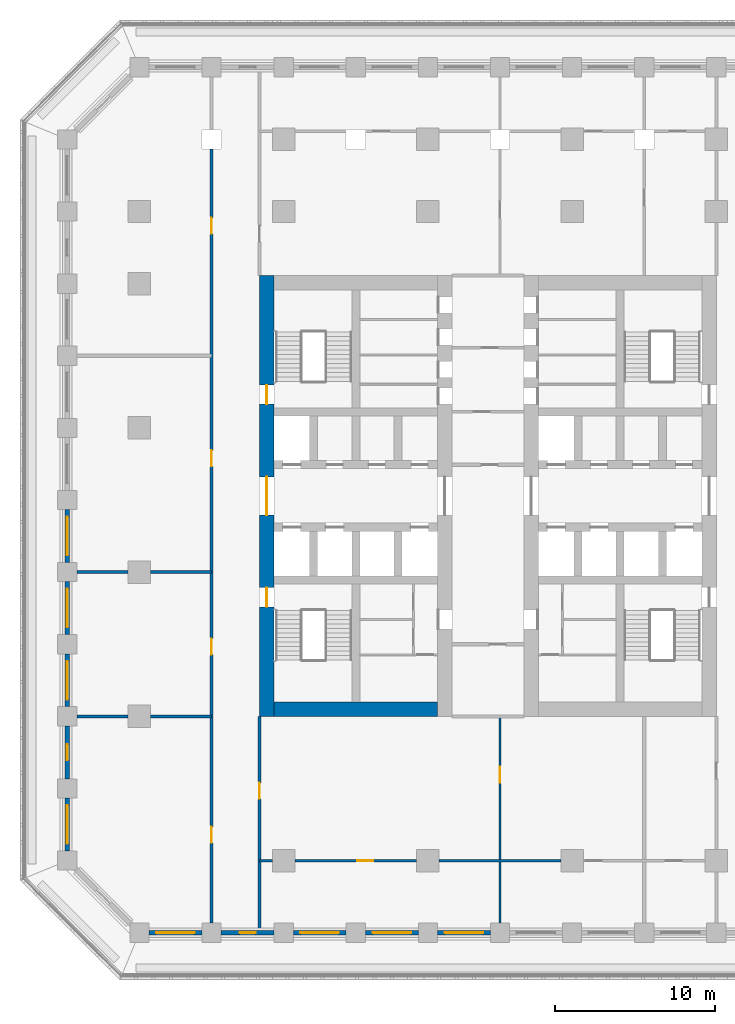
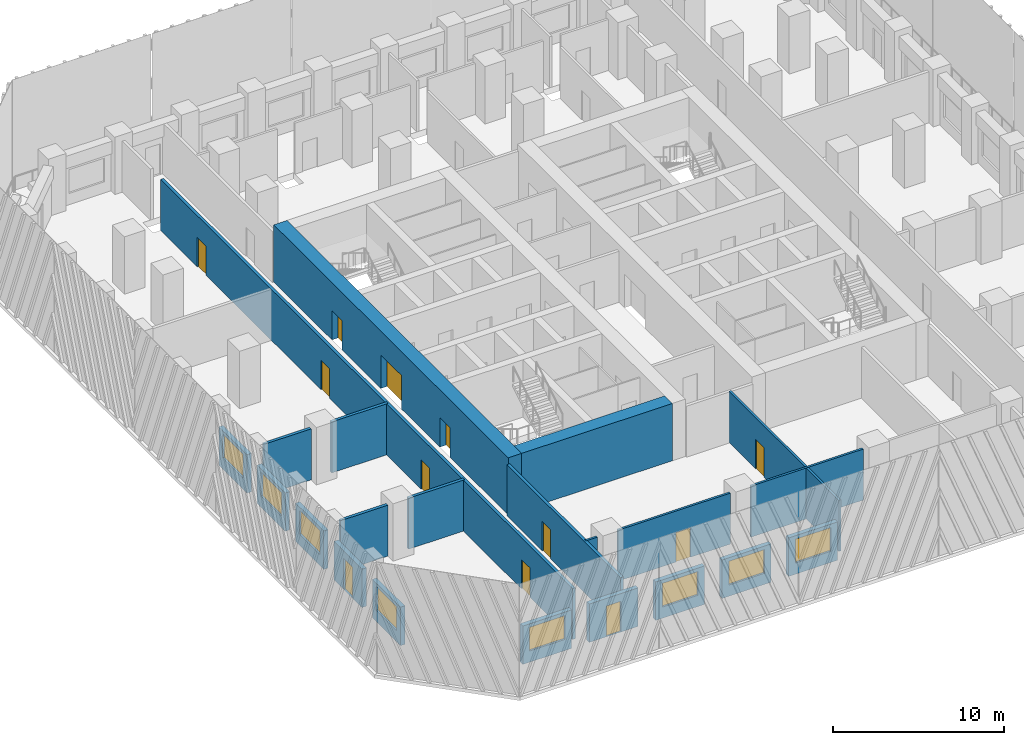
# One storey, part 3 of 19: 22 walls, 12 doors, 8 windows, 20 openings.
"""IFC4 building model written with IfcOpenShell, lengths in metres."""

from ifc_helpers import new_model, si_unit, direction, frame, frame_2d, origin, place, context, subcontext, project, spatial, rectangle, extrude, material, layer, layer_set, type_object, element, fill, save


model = new_model("IFC4")

# Units and contexts
model_context = context("Model", 3, precision=1e-05, world=origin(), true_north=direction((0.0, 1.0)))
body_context = subcontext(model_context, "Body", "Model", "MODEL_VIEW")
ifc_project = project(units=[si_unit("LENGTHUNIT", "METRE"), si_unit("AREAUNIT", "SQUARE_METRE"), si_unit("VOLUMEUNIT", "CUBIC_METRE"), si_unit("PLANEANGLEUNIT", "RADIAN"), si_unit("MASSUNIT", "GRAM", prefix="KILO")], contexts=[model_context])

# Site, building, storey
site_placement = place(None, origin())
site = spatial("IfcSite", under=ifc_project, at=site_placement, CompositionType="ELEMENT")
building_placement = place(site_placement, origin())
building = spatial("IfcBuilding", under=site, at=building_placement, Name="Corbel Stack Research Tower", CompositionType="ELEMENT")
storey_placement = place(building_placement, frame((0.0, 0.0, 82.0)))
storey = spatial("IfcBuildingStorey", under=building, at=storey_placement, Name="L18", CompositionType="ELEMENT", Elevation=82.0)

# Wall, openings, doors
ifc_material_1 = material(Name="Concrete C70/85", Category="concrete")
ifc_layer_1 = layer(ifc_material_1, 0.89990234375)
ifc_layer_set_1 = layer_set([ifc_layer_1], Name="Concrete C70/85")
wall_type_1 = type_object("IfcWallType", Name="CW-900-70", PredefinedType="SHEAR", material=ifc_layer_set_1)
wall_1_placement = place(storey_placement, frame((-10.050048828125, -9.0, 0.0), z_axis=(0.0, 0.0, 1.0), x_axis=(0.0, 1.0, 0.0)))
wall_1 = element("IfcWall", 1, at=wall_1_placement, inside=storey, type_object=wall_type_1, Name="West core wall, west face L18", PredefinedType="SHEAR", context=body_context, shape_type="SweptSolid", body=[
    extrude(rectangle(XDim=27.5, YDim=0.89990234375, at=frame_2d((13.75, 0.0))), origin(), (0.0, 0.0, 1.0), 4.10009765625),
])
opening_1_placement = place(wall_1_placement, frame((12.550048828125, 0.0, 0.0)))
opening_1 = element("IfcOpeningElement", 2, at=opening_1_placement, cuts=wall_1, Name="Opening CD-W-W", PredefinedType="OPENING", context=body_context, shape_type="SweptSolid", body=[
    extrude(rectangle(XDim=2.39990234375, YDim=2.39990234375, at=frame_2d((1.199951171875, 1.199951171875))), frame((0.0, 0.4599609375, 0.0), z_axis=(0.0, -1.0, 0.0), x_axis=(1.0, 0.0, 0.0)), (0.0, 0.0, 1.0), 0.919921875),
])
opening_2_placement = place(wall_1_placement, frame((6.824951171875, 0.0, 0.0)))
opening_2 = element("IfcOpeningElement", 3, at=opening_2_placement, cuts=wall_1, Name="Opening SD-ST-W1", PredefinedType="OPENING", context=body_context, shape_type="SweptSolid", body=[
    extrude(rectangle(XDim=1.199951171875, YDim=2.10009765625, at=frame_2d((0.60009765625, 1.050048828125))), frame((0.0, 0.4599609375, 0.0), z_axis=(0.0, -1.0, 0.0), x_axis=(1.0, 0.0, 0.0)), (0.0, 0.0, 1.0), 0.919921875),
])
opening_3_placement = place(wall_1_placement, frame((19.47509765625, 0.0, 0.0)))
opening_3 = element("IfcOpeningElement", 4, at=opening_3_placement, cuts=wall_1, Name="Opening SD-ST-W2", PredefinedType="OPENING", context=body_context, shape_type="SweptSolid", body=[
    extrude(rectangle(XDim=1.199951171875, YDim=2.10009765625, at=frame_2d((0.60009765625, 1.050048828125))), frame((0.0, 0.4599609375, 0.0), z_axis=(0.0, -1.0, 0.0), x_axis=(1.0, 0.0, 0.0)), (0.0, 0.0, 1.0), 0.919921875),
])
ifc_material_2 = material(Name="Painted steel fire door", Category="steel")
door_type_1 = type_object("IfcDoorType", Name="Lobby door pair 2400 x 2400 FD30S", OperationType="DOUBLE_DOOR_DOUBLE_SWING", PredefinedType="DOOR", material=ifc_material_2)
door_1_placement = place(opening_1_placement, origin())
door_1 = element("IfcDoor", 5, at=door_1_placement, inside=storey, type_object=door_type_1, Name="Lift lobby door W core W", OperationType="DOUBLE_DOOR_DOUBLE_SWING", OverallHeight=2.39990234375, OverallWidth=2.39990234375, PredefinedType="DOOR", context=body_context, shape_type="SweptSolid", body=[
    extrude(rectangle(XDim=2.39990234375, YDim=2.39990234375, at=frame_2d((1.199951171875, 1.199951171875))), frame((0.0, 0.02490234375, 0.0), z_axis=(0.0, -1.0, 0.0), x_axis=(1.0, 0.0, 0.0)), (0.0, 0.0, 1.0), 0.050048828125),
])
fill(opening_1, door_1)
ifc_material_3 = material(Name="Painted steel fire door", Category="steel")
door_type_2 = type_object("IfcDoorType", Name="Stair door 1200 x 2100 FD90 left hand", OperationType="SINGLE_SWING_LEFT", PredefinedType="DOOR", material=ifc_material_3)
door_2_placement = place(opening_2_placement, origin())
door_2 = element("IfcDoor", 6, at=door_2_placement, inside=storey, type_object=door_type_2, Name="Stair door ST-W1", OperationType="SINGLE_SWING_LEFT", OverallHeight=2.10009765625, OverallWidth=1.199951171875, PredefinedType="DOOR", context=body_context, shape_type="SweptSolid", body=[
    extrude(rectangle(XDim=1.199951171875, YDim=2.10009765625, at=frame_2d((0.60009765625, 1.050048828125))), frame((0.0, 0.02490234375, 0.0), z_axis=(0.0, -1.0, 0.0), x_axis=(1.0, 0.0, 0.0)), (0.0, 0.0, 1.0), 0.050048828125),
])
fill(opening_2, door_2)
door_3_placement = place(opening_3_placement, origin())
door_3 = element("IfcDoor", 7, at=door_3_placement, inside=storey, type_object=door_type_2, Name="Stair door ST-W2", OperationType="SINGLE_SWING_LEFT", OverallHeight=2.10009765625, OverallWidth=1.199951171875, PredefinedType="DOOR", context=body_context, shape_type="SweptSolid", body=[
    extrude(rectangle(XDim=1.199951171875, YDim=2.10009765625, at=frame_2d((0.60009765625, 1.050048828125))), frame((0.0, 0.02490234375, 0.0), z_axis=(0.0, -1.0, 0.0), x_axis=(1.0, 0.0, 0.0)), (0.0, 0.0, 1.0), 0.050048828125),
])
fill(opening_3, door_3)

# Wall
wall_2_placement = place(storey_placement, frame((-9.60009765625, -8.550048828125, 0.0), z_axis=(0.0, 0.0, 1.0), x_axis=(1.0, 0.0, 0.0)))
element("IfcWall", 8, at=wall_2_placement, inside=storey, type_object=wall_type_1, Name="West core wall, south end L18", PredefinedType="SHEAR", context=body_context, shape_type="SweptSolid", body=[
    extrude(rectangle(XDim=10.2001953125, YDim=0.89990234375, at=frame_2d((5.10009765625, 0.0))), origin(), (0.0, 0.0, 1.0), 4.10009765625),
])

# Wall, opening, door
ifc_material_4 = material(Name="Fire-rated gypsum board partition on steel studs", Category="steel")
ifc_layer_2 = layer(ifc_material_4, 0.14990234375)
ifc_layer_set_2 = layer_set([ifc_layer_2], Name="Fire-rated gypsum board partition on steel studs")
wall_type_2 = type_object("IfcWallType", Name="Fire-rated partition 150 EI 60", PredefinedType="PARTITIONING", material=ifc_layer_set_2)
wall_3_placement = place(storey_placement, frame((4.5, -9.0, 0.0), z_axis=(0.0, 0.0, 1.0), x_axis=(0.0, -1.0, 0.0)))
wall_3 = element("IfcWall", 9, at=wall_3_placement, inside=storey, type_object=wall_type_2, Name="Partition L18-005", PredefinedType="PARTITIONING", context=body_context, shape_type="SweptSolid", body=[
    extrude(rectangle(XDim=12.89990234375, YDim=0.14990234375, at=frame_2d((6.449951171875, 0.0))), origin(), (0.0, 0.0, 1.0), 3.64990234375),
])
opening_4_placement = place(wall_3_placement, frame((3.14990234375, 0.0, 0.0)))
opening_4 = element("IfcOpeningElement", 10, at=opening_4_placement, cuts=wall_3, Name="Opening B3V0H-011", PredefinedType="OPENING", context=body_context, shape_type="SweptSolid", body=[
    extrude(rectangle(XDim=1.0, YDim=2.10009765625, at=frame_2d((0.5, 1.050048828125))), frame((0.0, 0.0849609375, 0.0), z_axis=(0.0, -1.0, 0.0), x_axis=(1.0, 0.0, 0.0)), (0.0, 0.0, 1.0), 0.169921875),
])
ifc_material_5 = material(Name="Painted steel fire door", Category="steel")
door_type_3 = type_object("IfcDoorType", Name="Fire door FD30S 1000 x 2100", OperationType="NOTDEFINED", PredefinedType="DOOR", material=ifc_material_5)
door_4_placement = place(opening_4_placement, origin())
door_4 = element("IfcDoor", 11, at=door_4_placement, inside=storey, type_object=door_type_3, Name="Door B3V0H-011", OperationType="SINGLE_SWING_LEFT", OverallHeight=2.10009765625, OverallWidth=1.0, PredefinedType="DOOR", context=body_context, shape_type="SweptSolid", body=[
    extrude(rectangle(XDim=1.0, YDim=2.10009765625, at=frame_2d((0.5, 1.050048828125))), frame((0.0, 0.02490234375, 0.0), z_axis=(0.0, -1.0, 0.0), x_axis=(1.0, 0.0, 0.0)), (0.0, 0.0, 1.0), 0.050048828125),
])
fill(opening_4, door_4)

# Wall, openings, doors
ifc_material_6 = material(Name="Fire-rated gypsum board partition on steel studs", Category="steel")
ifc_layer_3 = layer(ifc_material_6, 0.199951171875)
ifc_layer_set_3 = layer_set([ifc_layer_3], Name="Fire-rated gypsum board partition on steel studs")
wall_type_3 = type_object("IfcWallType", Name="Fire-rated partition 200 EI 60", PredefinedType="PARTITIONING", material=ifc_layer_set_3)
wall_4_placement = place(storey_placement, frame((-13.5, -21.89990234375, 0.0), z_axis=(0.0, 0.0, 1.0), x_axis=(0.0, 1.0, 0.0)))
wall_4 = element("IfcWall", 12, at=wall_4_placement, inside=storey, type_object=wall_type_3, Name="Partition L18-001", PredefinedType="PARTITIONING", context=body_context, shape_type="SweptSolid", body=[
    extrude(rectangle(XDim=48.2998046875, YDim=0.199951171875, at=frame_2d((24.14990234375, 0.0))), origin(), (0.0, 0.0, 1.0), 3.64990234375),
])
opening_5_placement = place(wall_4_placement, frame((5.0, 0.0, 0.0)))
opening_5 = element("IfcOpeningElement", 13, at=opening_5_placement, cuts=wall_4, Name="Opening B3V0H-004", PredefinedType="OPENING", context=body_context, shape_type="SweptSolid", body=[
    extrude(rectangle(XDim=1.0, YDim=2.10009765625, at=frame_2d((0.5, 1.050048828125))), frame((0.0, 0.10986328125, 0.0), z_axis=(0.0, -1.0, 0.0), x_axis=(1.0, 0.0, 0.0)), (0.0, 0.0, 1.0), 0.219970703125),
])
opening_6_placement = place(wall_4_placement, frame((16.75, 0.0, 0.0)))
opening_6 = element("IfcOpeningElement", 14, at=opening_6_placement, cuts=wall_4, Name="Opening B3V0H-005", PredefinedType="OPENING", context=body_context, shape_type="SweptSolid", body=[
    extrude(rectangle(XDim=1.0, YDim=2.10009765625, at=frame_2d((0.5, 1.050048828125))), frame((0.0, 0.10986328125, 0.0), z_axis=(0.0, -1.0, 0.0), x_axis=(1.0, 0.0, 0.0)), (0.0, 0.0, 1.0), 0.219970703125),
])
opening_7_placement = place(wall_4_placement, frame((28.5, 0.0, 0.0)))
opening_7 = element("IfcOpeningElement", 15, at=opening_7_placement, cuts=wall_4, Name="Opening B3V0H-006", PredefinedType="OPENING", context=body_context, shape_type="SweptSolid", body=[
    extrude(rectangle(XDim=1.0, YDim=2.10009765625, at=frame_2d((0.5, 1.050048828125))), frame((0.0, 0.10986328125, 0.0), z_axis=(0.0, -1.0, 0.0), x_axis=(1.0, 0.0, 0.0)), (0.0, 0.0, 1.0), 0.219970703125),
])
opening_8_placement = place(wall_4_placement, frame((43.0, 0.0, 0.0)))
opening_8 = element("IfcOpeningElement", 16, at=opening_8_placement, cuts=wall_4, Name="Opening B3V0H-007", PredefinedType="OPENING", context=body_context, shape_type="SweptSolid", body=[
    extrude(rectangle(XDim=1.0, YDim=2.10009765625, at=frame_2d((0.5, 1.050048828125))), frame((0.0, 0.10986328125, 0.0), z_axis=(0.0, -1.0, 0.0), x_axis=(1.0, 0.0, 0.0)), (0.0, 0.0, 1.0), 0.219970703125),
])
door_5_placement = place(opening_5_placement, origin())
door_5 = element("IfcDoor", 17, at=door_5_placement, inside=storey, type_object=door_type_3, Name="Door B3V0H-004", OperationType="SINGLE_SWING_LEFT", OverallHeight=2.10009765625, OverallWidth=1.0, PredefinedType="DOOR", context=body_context, shape_type="SweptSolid", body=[
    extrude(rectangle(XDim=1.0, YDim=2.10009765625, at=frame_2d((0.5, 1.050048828125))), frame((0.0, 0.02490234375, 0.0), z_axis=(0.0, -1.0, 0.0), x_axis=(1.0, 0.0, 0.0)), (0.0, 0.0, 1.0), 0.050048828125),
])
fill(opening_5, door_5)
door_6_placement = place(opening_6_placement, origin())
door_6 = element("IfcDoor", 18, at=door_6_placement, inside=storey, type_object=door_type_3, Name="Door B3V0H-005", OperationType="SINGLE_SWING_LEFT", OverallHeight=2.10009765625, OverallWidth=1.0, PredefinedType="DOOR", context=body_context, shape_type="SweptSolid", body=[
    extrude(rectangle(XDim=1.0, YDim=2.10009765625, at=frame_2d((0.5, 1.050048828125))), frame((0.0, 0.02490234375, 0.0), z_axis=(0.0, -1.0, 0.0), x_axis=(1.0, 0.0, 0.0)), (0.0, 0.0, 1.0), 0.050048828125),
])
fill(opening_6, door_6)
door_7_placement = place(opening_7_placement, origin())
door_7 = element("IfcDoor", 19, at=door_7_placement, inside=storey, type_object=door_type_3, Name="Door B3V0H-006", OperationType="SINGLE_SWING_RIGHT", OverallHeight=2.10009765625, OverallWidth=1.0, PredefinedType="DOOR", context=body_context, shape_type="SweptSolid", body=[
    extrude(rectangle(XDim=1.0, YDim=2.10009765625, at=frame_2d((0.5, 1.050048828125))), frame((0.0, 0.02490234375, 0.0), z_axis=(0.0, -1.0, 0.0), x_axis=(1.0, 0.0, 0.0)), (0.0, 0.0, 1.0), 0.050048828125),
])
fill(opening_7, door_7)
door_8_placement = place(opening_8_placement, origin())
door_8 = element("IfcDoor", 20, at=door_8_placement, inside=storey, type_object=door_type_3, Name="Door B3V0H-007", OperationType="SINGLE_SWING_RIGHT", OverallHeight=2.10009765625, OverallWidth=1.0, PredefinedType="DOOR", context=body_context, shape_type="SweptSolid", body=[
    extrude(rectangle(XDim=1.0, YDim=2.10009765625, at=frame_2d((0.5, 1.050048828125))), frame((0.0, 0.02490234375, 0.0), z_axis=(0.0, -1.0, 0.0), x_axis=(1.0, 0.0, 0.0)), (0.0, 0.0, 1.0), 0.050048828125),
])
fill(opening_8, door_8)

# Wall, opening, door
wall_5_placement = place(storey_placement, frame((-10.5, -9.0, 0.0), z_axis=(0.0, 0.0, 1.0), x_axis=(0.0, -1.0, 0.0)))
wall_5 = element("IfcWall", 21, at=wall_5_placement, inside=storey, type_object=wall_type_3, Name="Partition L18-003", PredefinedType="PARTITIONING", context=body_context, shape_type="SweptSolid", body=[
    extrude(rectangle(XDim=13.35009765625, YDim=0.199951171875, at=frame_2d((6.675048828125, 0.0))), origin(), (0.0, 0.0, 1.0), 3.64990234375),
])
opening_9_placement = place(wall_5_placement, frame((4.14990234375, 0.0, 0.0)))
opening_9 = element("IfcOpeningElement", 22, at=opening_9_placement, cuts=wall_5, Name="Opening B3V0H-008", PredefinedType="OPENING", context=body_context, shape_type="SweptSolid", body=[
    extrude(rectangle(XDim=1.0, YDim=2.10009765625, at=frame_2d((0.5, 1.050048828125))), frame((0.0, 0.10986328125, 0.0), z_axis=(0.0, -1.0, 0.0), x_axis=(1.0, 0.0, 0.0)), (0.0, 0.0, 1.0), 0.219970703125),
])
door_9_placement = place(opening_9_placement, origin())
door_9 = element("IfcDoor", 23, at=door_9_placement, inside=storey, type_object=door_type_3, Name="Door B3V0H-008", OperationType="SINGLE_SWING_LEFT", OverallHeight=2.10009765625, OverallWidth=1.0, PredefinedType="DOOR", context=body_context, shape_type="SweptSolid", body=[
    extrude(rectangle(XDim=1.0, YDim=2.10009765625, at=frame_2d((0.5, 1.050048828125))), frame((0.0, 0.02490234375, 0.0), z_axis=(0.0, -1.0, 0.0), x_axis=(1.0, 0.0, 0.0)), (0.0, 0.0, 1.0), 0.050048828125),
])
fill(opening_9, door_9)

# Walls
wall_6_placement = place(storey_placement, frame((-21.89990234375, -9.0, 0.0), z_axis=(0.0, 0.0, 1.0), x_axis=(1.0, 0.0, 0.0)))
element("IfcWall", 24, at=wall_6_placement, inside=storey, type_object=wall_type_3, Name="Partition L18-021", PredefinedType="PARTITIONING", context=body_context, shape_type="SweptSolid", body=[
    extrude(rectangle(XDim=3.199951171875, YDim=0.199951171875, at=frame_2d((1.60009765625, 0.0))), origin(), (0.0, 0.0, 1.0), 3.64990234375),
])
wall_7_placement = place(storey_placement, frame((-17.300048828125, -9.0, 0.0), z_axis=(0.0, 0.0, 1.0), x_axis=(1.0, 0.0, 0.0)))
element("IfcWall", 25, at=wall_7_placement, inside=storey, type_object=wall_type_3, Name="Partition L18-022", PredefinedType="PARTITIONING", context=body_context, shape_type="SweptSolid", body=[
    extrude(rectangle(XDim=3.800048828125, YDim=0.199951171875, at=frame_2d((1.89990234375, 0.0))), origin(), (0.0, 0.0, 1.0), 3.64990234375),
])
wall_8_placement = place(storey_placement, frame((-21.89990234375, 0.0, 0.0), z_axis=(0.0, 0.0, 1.0), x_axis=(1.0, 0.0, 0.0)))
element("IfcWall", 26, at=wall_8_placement, inside=storey, type_object=wall_type_3, Name="Partition L18-028", PredefinedType="PARTITIONING", context=body_context, shape_type="SweptSolid", body=[
    extrude(rectangle(XDim=3.199951171875, YDim=0.199951171875, at=frame_2d((1.60009765625, 0.0))), origin(), (0.0, 0.0, 1.0), 3.64990234375),
])
wall_9_placement = place(storey_placement, frame((-17.300048828125, 0.0, 0.0), z_axis=(0.0, 0.0, 1.0), x_axis=(1.0, 0.0, 0.0)))
element("IfcWall", 27, at=wall_9_placement, inside=storey, type_object=wall_type_3, Name="Partition L18-029", PredefinedType="PARTITIONING", context=body_context, shape_type="SweptSolid", body=[
    extrude(rectangle(XDim=3.800048828125, YDim=0.199951171875, at=frame_2d((1.89990234375, 0.0))), origin(), (0.0, 0.0, 1.0), 3.64990234375),
])
ifc_material_7 = material(Name="Gypsum board partition on steel studs", Category="steel")
ifc_layer_4 = layer(ifc_material_7, 0.14990234375)
ifc_layer_set_4 = layer_set([ifc_layer_4], Name="Gypsum board partition on steel studs")
wall_type_4 = type_object("IfcWallType", Name="Partition 150", PredefinedType="PARTITIONING", material=ifc_layer_set_4)
wall_10_placement = place(storey_placement, frame((-10.5, -18.0, 0.0), z_axis=(0.0, 0.0, 1.0), x_axis=(1.0, 0.0, 0.0)))
element("IfcWall", 28, at=wall_10_placement, inside=storey, type_object=wall_type_4, Name="Partition L18-017", PredefinedType="PARTITIONING", context=body_context, shape_type="SweptSolid", body=[
    extrude(rectangle(XDim=0.800048828125, YDim=0.14990234375, at=frame_2d((0.39990234375, 0.0))), origin(), (0.0, 0.0, 1.0), 3.64990234375),
])

# Wall, opening, door
wall_11_placement = place(storey_placement, frame((-0.699951171875, -18.0, 0.0), z_axis=(0.0, 0.0, 1.0), x_axis=(-1.0, 0.0, 0.0)))
wall_11 = element("IfcWall", 29, at=wall_11_placement, inside=storey, type_object=wall_type_4, Name="Partition L18-018", PredefinedType="PARTITIONING", context=body_context, shape_type="SweptSolid", body=[
    extrude(rectangle(XDim=7.60009765625, YDim=0.14990234375, at=frame_2d((3.800048828125, 0.0))), origin(), (0.0, 0.0, 1.0), 3.64990234375),
])
opening_10_placement = place(wall_11_placement, frame((2.699951171875, 0.0, 0.0)))
opening_10 = element("IfcOpeningElement", 30, at=opening_10_placement, cuts=wall_11, Name="Opening B3V0H-001", PredefinedType="OPENING", context=body_context, shape_type="SweptSolid", body=[
    extrude(rectangle(XDim=1.0, YDim=2.10009765625, at=frame_2d((0.5, 1.050048828125))), frame((0.0, 0.0849609375, 0.0), z_axis=(0.0, -1.0, 0.0), x_axis=(1.0, 0.0, 0.0)), (0.0, 0.0, 1.0), 0.169921875),
])
ifc_material_8 = material(Name="Painted timber door", Category="wood")
door_type_4 = type_object("IfcDoorType", Name="Single door 1000 x 2100", OperationType="NOTDEFINED", PredefinedType="DOOR", material=ifc_material_8)
door_10_placement = place(opening_10_placement, origin())
door_10 = element("IfcDoor", 31, at=door_10_placement, inside=storey, type_object=door_type_4, Name="Door B3V0H-001", OperationType="SINGLE_SWING_LEFT", OverallHeight=2.10009765625, OverallWidth=1.0, PredefinedType="DOOR", context=body_context, shape_type="SweptSolid", body=[
    extrude(rectangle(XDim=1.0, YDim=2.10009765625, at=frame_2d((0.5, 1.050048828125))), frame((0.0, 0.02490234375, 0.0), z_axis=(0.0, -1.0, 0.0), x_axis=(1.0, 0.0, 0.0)), (0.0, 0.0, 1.0), 0.050048828125),
])
fill(opening_10, door_10)

# Wall
wall_12_placement = place(storey_placement, frame((0.699951171875, -18.0, 0.0), z_axis=(0.0, 0.0, 1.0), x_axis=(1.0, 0.0, 0.0)))
element("IfcWall", 32, at=wall_12_placement, inside=storey, type_object=wall_type_4, Name="Partition L18-019", PredefinedType="PARTITIONING", context=body_context, shape_type="SweptSolid", body=[
    extrude(rectangle(XDim=7.60009765625, YDim=0.14990234375, at=frame_2d((3.800048828125, 0.0))), origin(), (0.0, 0.0, 1.0), 3.64990234375),
])

# Wall, opening, window
ifc_material_9 = material(Name="Concrete C45/55", Category="concrete")
ifc_layer_5 = layer(ifc_material_9, 0.300048828125)
ifc_layer_set_5 = layer_set([ifc_layer_5], Name="Concrete C45/55")
wall_type_5 = type_object("IfcWallType", Name="Terracotta-faced concrete wall 300", PredefinedType="SOLIDWALL", material=ifc_layer_set_5)
wall_13_placement = place(storey_placement, frame((-14.10009765625, -22.5, 0.0), z_axis=(0.0, 0.0, 1.0), x_axis=(-1.0, 0.0, 0.0)))
wall_13 = element("IfcWall", 33, at=wall_13_placement, inside=storey, type_object=wall_type_5, Name="Facade wall L18 S01", PredefinedType="SOLIDWALL", context=body_context, shape_type="SweptSolid", body=[
    extrude(rectangle(XDim=3.2998046875, YDim=0.300048828125, at=frame_2d((1.64990234375, 0.0))), origin(), (0.0, 0.0, 1.0), 2.75),
])
opening_11_placement = place(wall_13_placement, frame((0.449951171875, 0.0, 0.800048828125)))
opening_11 = element("IfcOpeningElement", 34, at=opening_11_placement, cuts=wall_13, Name="Opening W1", PredefinedType="OPENING", context=body_context, shape_type="SweptSolid", body=[
    extrude(rectangle(XDim=2.39990234375, YDim=1.699951171875, at=frame_2d((1.199951171875, 0.85009765625))), frame((0.0, 0.159912109375, 0.0), z_axis=(0.0, -1.0, 0.0), x_axis=(1.0, 0.0, 0.0)), (0.0, 0.0, 1.0), 0.320068359375),
])
ifc_material_10 = material(Name="Aluminium frame, clear double glazing", Category="aluminium")
window_type = type_object("IfcWindowType", Name="Window W1 2400 x 1700", PartitioningType="SINGLE_PANEL", PredefinedType="WINDOW", material=ifc_material_10)
window_1_placement = place(opening_11_placement, origin())
window_1 = element("IfcWindow", 35, at=window_1_placement, inside=storey, type_object=window_type, Name="Window W1 L18 S01", OverallHeight=1.699951171875, OverallWidth=2.39990234375, PartitioningType="SINGLE_PANEL", PredefinedType="WINDOW", context=body_context, shape_type="SweptSolid", body=[
    extrude(rectangle(XDim=2.39990234375, YDim=1.699951171875, at=frame_2d((1.199951171875, 0.85009765625))), frame((0.0, 0.030029296875, 0.0), z_axis=(0.0, -1.0, 0.0), x_axis=(1.0, 0.0, 0.0)), (0.0, 0.0, 1.0), 0.06005859375),
])
fill(opening_11, window_1)

# Wall, opening, door
wall_14_placement = place(storey_placement, frame((-9.60009765625, -22.5, 0.0), z_axis=(0.0, 0.0, 1.0), x_axis=(-1.0, 0.0, 0.0)))
wall_14 = element("IfcWall", 36, at=wall_14_placement, inside=storey, type_object=wall_type_5, Name="Facade wall L18 S02", PredefinedType="SOLIDWALL", context=body_context, shape_type="SweptSolid", body=[
    extrude(rectangle(XDim=3.2998046875, YDim=0.300048828125, at=frame_2d((1.64990234375, 0.0))), origin(), (0.0, 0.0, 1.0), 2.75),
])
opening_12_placement = place(wall_14_placement, frame((1.14990234375, 0.0, 0.0)))
opening_12 = element("IfcOpeningElement", 37, at=opening_12_placement, cuts=wall_14, Name="Opening L18-B01", PredefinedType="OPENING", context=body_context, shape_type="SweptSolid", body=[
    extrude(rectangle(XDim=1.0, YDim=2.199951171875, at=frame_2d((0.5, 1.10009765625))), frame((0.0, 0.159912109375, 0.0), z_axis=(0.0, -1.0, 0.0), x_axis=(1.0, 0.0, 0.0)), (0.0, 0.0, 1.0), 0.320068359375),
])
ifc_material_11 = material(Name="Aluminium frame, clear double glazing", Category="aluminium")
door_type_5 = type_object("IfcDoorType", Name="Balcony door BD1 1000 x 2200", OperationType="NOTDEFINED", PredefinedType="DOOR", material=ifc_material_11)
door_11_placement = place(opening_12_placement, origin())
door_11 = element("IfcDoor", 38, at=door_11_placement, inside=storey, type_object=door_type_5, Name="Balcony door L18-B01", OperationType="SINGLE_SWING_RIGHT", OverallHeight=2.199951171875, OverallWidth=1.0, PredefinedType="DOOR", context=body_context, shape_type="SweptSolid", body=[
    extrude(rectangle(XDim=1.0, YDim=2.199951171875, at=frame_2d((0.5, 1.10009765625))), frame((0.0, 0.02490234375, 0.0), z_axis=(0.0, -1.0, 0.0), x_axis=(1.0, 0.0, 0.0)), (0.0, 0.0, 1.0), 0.050048828125),
])
fill(opening_12, door_11)

# Wall, opening, window
wall_15_placement = place(storey_placement, frame((-5.10009765625, -22.5, 0.0), z_axis=(0.0, 0.0, 1.0), x_axis=(-1.0, 0.0, 0.0)))
wall_15 = element("IfcWall", 39, at=wall_15_placement, inside=storey, type_object=wall_type_5, Name="Facade wall L18 S03", PredefinedType="SOLIDWALL", context=body_context, shape_type="SweptSolid", body=[
    extrude(rectangle(XDim=3.2998046875, YDim=0.300048828125, at=frame_2d((1.64990234375, 0.0))), origin(), (0.0, 0.0, 1.0), 2.75),
])
opening_13_placement = place(wall_15_placement, frame((0.449951171875, 0.0, 0.800048828125)))
opening_13 = element("IfcOpeningElement", 40, at=opening_13_placement, cuts=wall_15, Name="Opening W1", PredefinedType="OPENING", context=body_context, shape_type="SweptSolid", body=[
    extrude(rectangle(XDim=2.39990234375, YDim=1.699951171875, at=frame_2d((1.199951171875, 0.85009765625))), frame((0.0, 0.159912109375, 0.0), z_axis=(0.0, -1.0, 0.0), x_axis=(1.0, 0.0, 0.0)), (0.0, 0.0, 1.0), 0.320068359375),
])
window_2_placement = place(opening_13_placement, origin())
window_2 = element("IfcWindow", 41, at=window_2_placement, inside=storey, type_object=window_type, Name="Window W1 L18 S03", OverallHeight=1.699951171875, OverallWidth=2.39990234375, PartitioningType="SINGLE_PANEL", PredefinedType="WINDOW", context=body_context, shape_type="SweptSolid", body=[
    extrude(rectangle(XDim=2.39990234375, YDim=1.699951171875, at=frame_2d((1.199951171875, 0.85009765625))), frame((0.0, 0.030029296875, 0.0), z_axis=(0.0, -1.0, 0.0), x_axis=(1.0, 0.0, 0.0)), (0.0, 0.0, 1.0), 0.06005859375),
])
fill(opening_13, window_2)

wall_16_placement = place(storey_placement, frame((-0.60009765625, -22.5, 0.0), z_axis=(0.0, 0.0, 1.0), x_axis=(-1.0, 0.0, 0.0)))
wall_16 = element("IfcWall", 42, at=wall_16_placement, inside=storey, type_object=wall_type_5, Name="Facade wall L18 S04", PredefinedType="SOLIDWALL", context=body_context, shape_type="SweptSolid", body=[
    extrude(rectangle(XDim=3.2998046875, YDim=0.300048828125, at=frame_2d((1.64990234375, 0.0))), origin(), (0.0, 0.0, 1.0), 2.75),
])
opening_14_placement = place(wall_16_placement, frame((0.449951171875, 0.0, 0.800048828125)))
opening_14 = element("IfcOpeningElement", 43, at=opening_14_placement, cuts=wall_16, Name="Opening W1", PredefinedType="OPENING", context=body_context, shape_type="SweptSolid", body=[
    extrude(rectangle(XDim=2.39990234375, YDim=1.699951171875, at=frame_2d((1.199951171875, 0.85009765625))), frame((0.0, 0.159912109375, 0.0), z_axis=(0.0, -1.0, 0.0), x_axis=(1.0, 0.0, 0.0)), (0.0, 0.0, 1.0), 0.320068359375),
])
window_3_placement = place(opening_14_placement, origin())
window_3 = element("IfcWindow", 44, at=window_3_placement, inside=storey, type_object=window_type, Name="Window W1 L18 S04", OverallHeight=1.699951171875, OverallWidth=2.39990234375, PartitioningType="SINGLE_PANEL", PredefinedType="WINDOW", context=body_context, shape_type="SweptSolid", body=[
    extrude(rectangle(XDim=2.39990234375, YDim=1.699951171875, at=frame_2d((1.199951171875, 0.85009765625))), frame((0.0, 0.030029296875, 0.0), z_axis=(0.0, -1.0, 0.0), x_axis=(1.0, 0.0, 0.0)), (0.0, 0.0, 1.0), 0.06005859375),
])
fill(opening_14, window_3)

wall_17_placement = place(storey_placement, frame((3.89990234375, -22.5, 0.0), z_axis=(0.0, 0.0, 1.0), x_axis=(-1.0, 0.0, 0.0)))
wall_17 = element("IfcWall", 45, at=wall_17_placement, inside=storey, type_object=wall_type_5, Name="Facade wall L18 S05", PredefinedType="SOLIDWALL", context=body_context, shape_type="SweptSolid", body=[
    extrude(rectangle(XDim=3.2998046875, YDim=0.300048828125, at=frame_2d((1.64990234375, 0.0))), origin(), (0.0, 0.0, 1.0), 2.75),
])
opening_15_placement = place(wall_17_placement, frame((0.449951171875, 0.0, 0.800048828125)))
opening_15 = element("IfcOpeningElement", 46, at=opening_15_placement, cuts=wall_17, Name="Opening W1", PredefinedType="OPENING", context=body_context, shape_type="SweptSolid", body=[
    extrude(rectangle(XDim=2.39990234375, YDim=1.699951171875, at=frame_2d((1.199951171875, 0.85009765625))), frame((0.0, 0.159912109375, 0.0), z_axis=(0.0, -1.0, 0.0), x_axis=(1.0, 0.0, 0.0)), (0.0, 0.0, 1.0), 0.320068359375),
])
window_4_placement = place(opening_15_placement, origin())
window_4 = element("IfcWindow", 47, at=window_4_placement, inside=storey, type_object=window_type, Name="Window W1 L18 S05", OverallHeight=1.699951171875, OverallWidth=2.39990234375, PartitioningType="SINGLE_PANEL", PredefinedType="WINDOW", context=body_context, shape_type="SweptSolid", body=[
    extrude(rectangle(XDim=2.39990234375, YDim=1.699951171875, at=frame_2d((1.199951171875, 0.85009765625))), frame((0.0, 0.030029296875, 0.0), z_axis=(0.0, -1.0, 0.0), x_axis=(1.0, 0.0, 0.0)), (0.0, 0.0, 1.0), 0.06005859375),
])
fill(opening_15, window_4)

wall_18_placement = place(storey_placement, frame((-22.5, 0.60009765625, 0.0), z_axis=(0.0, 0.0, 1.0), x_axis=(0.0, 1.0, 0.0)))
wall_18 = element("IfcWall", 48, at=wall_18_placement, inside=storey, type_object=wall_type_5, Name="Facade wall L18 W06", PredefinedType="SOLIDWALL", context=body_context, shape_type="SweptSolid", body=[
    extrude(rectangle(XDim=3.2998046875, YDim=0.300048828125, at=frame_2d((1.64990234375, 0.0))), origin(), (0.0, 0.0, 1.0), 2.75),
])
opening_16_placement = place(wall_18_placement, frame((0.449951171875, 0.0, 0.800048828125)))
opening_16 = element("IfcOpeningElement", 49, at=opening_16_placement, cuts=wall_18, Name="Opening W1", PredefinedType="OPENING", context=body_context, shape_type="SweptSolid", body=[
    extrude(rectangle(XDim=2.39990234375, YDim=1.699951171875, at=frame_2d((1.199951171875, 0.85009765625))), frame((0.0, 0.159912109375, 0.0), z_axis=(0.0, -1.0, 0.0), x_axis=(1.0, 0.0, 0.0)), (0.0, 0.0, 1.0), 0.320068359375),
])
window_5_placement = place(opening_16_placement, origin())
window_5 = element("IfcWindow", 50, at=window_5_placement, inside=storey, type_object=window_type, Name="Window W1 L18 W06", OverallHeight=1.699951171875, OverallWidth=2.39990234375, PartitioningType="SINGLE_PANEL", PredefinedType="WINDOW", context=body_context, shape_type="SweptSolid", body=[
    extrude(rectangle(XDim=2.39990234375, YDim=1.699951171875, at=frame_2d((1.199951171875, 0.85009765625))), frame((0.0, 0.030029296875, 0.0), z_axis=(0.0, -1.0, 0.0), x_axis=(1.0, 0.0, 0.0)), (0.0, 0.0, 1.0), 0.06005859375),
])
fill(opening_16, window_5)

wall_19_placement = place(storey_placement, frame((-22.5, -3.89990234375, 0.0), z_axis=(0.0, 0.0, 1.0), x_axis=(0.0, 1.0, 0.0)))
wall_19 = element("IfcWall", 51, at=wall_19_placement, inside=storey, type_object=wall_type_5, Name="Facade wall L18 W07", PredefinedType="SOLIDWALL", context=body_context, shape_type="SweptSolid", body=[
    extrude(rectangle(XDim=3.2998046875, YDim=0.300048828125, at=frame_2d((1.64990234375, 0.0))), origin(), (0.0, 0.0, 1.0), 2.75),
])
opening_17_placement = place(wall_19_placement, frame((0.449951171875, 0.0, 0.800048828125)))
opening_17 = element("IfcOpeningElement", 52, at=opening_17_placement, cuts=wall_19, Name="Opening W1", PredefinedType="OPENING", context=body_context, shape_type="SweptSolid", body=[
    extrude(rectangle(XDim=2.39990234375, YDim=1.699951171875, at=frame_2d((1.199951171875, 0.85009765625))), frame((0.0, 0.159912109375, 0.0), z_axis=(0.0, -1.0, 0.0), x_axis=(1.0, 0.0, 0.0)), (0.0, 0.0, 1.0), 0.320068359375),
])
window_6_placement = place(opening_17_placement, origin())
window_6 = element("IfcWindow", 53, at=window_6_placement, inside=storey, type_object=window_type, Name="Window W1 L18 W07", OverallHeight=1.699951171875, OverallWidth=2.39990234375, PartitioningType="SINGLE_PANEL", PredefinedType="WINDOW", context=body_context, shape_type="SweptSolid", body=[
    extrude(rectangle(XDim=2.39990234375, YDim=1.699951171875, at=frame_2d((1.199951171875, 0.85009765625))), frame((0.0, 0.030029296875, 0.0), z_axis=(0.0, -1.0, 0.0), x_axis=(1.0, 0.0, 0.0)), (0.0, 0.0, 1.0), 0.06005859375),
])
fill(opening_17, window_6)

wall_20_placement = place(storey_placement, frame((-22.5, -8.39990234375, 0.0), z_axis=(0.0, 0.0, 1.0), x_axis=(0.0, 1.0, 0.0)))
wall_20 = element("IfcWall", 54, at=wall_20_placement, inside=storey, type_object=wall_type_5, Name="Facade wall L18 W08", PredefinedType="SOLIDWALL", context=body_context, shape_type="SweptSolid", body=[
    extrude(rectangle(XDim=3.2998046875, YDim=0.300048828125, at=frame_2d((1.64990234375, 0.0))), origin(), (0.0, 0.0, 1.0), 2.75),
])
opening_18_placement = place(wall_20_placement, frame((0.449951171875, 0.0, 0.800048828125)))
opening_18 = element("IfcOpeningElement", 55, at=opening_18_placement, cuts=wall_20, Name="Opening W1", PredefinedType="OPENING", context=body_context, shape_type="SweptSolid", body=[
    extrude(rectangle(XDim=2.39990234375, YDim=1.699951171875, at=frame_2d((1.199951171875, 0.85009765625))), frame((0.0, 0.159912109375, 0.0), z_axis=(0.0, -1.0, 0.0), x_axis=(1.0, 0.0, 0.0)), (0.0, 0.0, 1.0), 0.320068359375),
])
window_7_placement = place(opening_18_placement, origin())
window_7 = element("IfcWindow", 56, at=window_7_placement, inside=storey, type_object=window_type, Name="Window W1 L18 W08", OverallHeight=1.699951171875, OverallWidth=2.39990234375, PartitioningType="SINGLE_PANEL", PredefinedType="WINDOW", context=body_context, shape_type="SweptSolid", body=[
    extrude(rectangle(XDim=2.39990234375, YDim=1.699951171875, at=frame_2d((1.199951171875, 0.85009765625))), frame((0.0, 0.030029296875, 0.0), z_axis=(0.0, -1.0, 0.0), x_axis=(1.0, 0.0, 0.0)), (0.0, 0.0, 1.0), 0.06005859375),
])
fill(opening_18, window_7)

# Wall, opening, door
wall_21_placement = place(storey_placement, frame((-22.5, -12.89990234375, 0.0), z_axis=(0.0, 0.0, 1.0), x_axis=(0.0, 1.0, 0.0)))
wall_21 = element("IfcWall", 57, at=wall_21_placement, inside=storey, type_object=wall_type_5, Name="Facade wall L18 W09", PredefinedType="SOLIDWALL", context=body_context, shape_type="SweptSolid", body=[
    extrude(rectangle(XDim=3.2998046875, YDim=0.300048828125, at=frame_2d((1.64990234375, 0.0))), origin(), (0.0, 0.0, 1.0), 2.75),
])
opening_19_placement = place(wall_21_placement, frame((1.14990234375, 0.0, 0.0)))
opening_19 = element("IfcOpeningElement", 58, at=opening_19_placement, cuts=wall_21, Name="Opening L18-B11", PredefinedType="OPENING", context=body_context, shape_type="SweptSolid", body=[
    extrude(rectangle(XDim=1.0, YDim=2.199951171875, at=frame_2d((0.5, 1.10009765625))), frame((0.0, 0.159912109375, 0.0), z_axis=(0.0, -1.0, 0.0), x_axis=(1.0, 0.0, 0.0)), (0.0, 0.0, 1.0), 0.320068359375),
])
door_12_placement = place(opening_19_placement, origin())
door_12 = element("IfcDoor", 59, at=door_12_placement, inside=storey, type_object=door_type_5, Name="Balcony door L18-B11", OperationType="SINGLE_SWING_LEFT", OverallHeight=2.199951171875, OverallWidth=1.0, PredefinedType="DOOR", context=body_context, shape_type="SweptSolid", body=[
    extrude(rectangle(XDim=1.0, YDim=2.199951171875, at=frame_2d((0.5, 1.10009765625))), frame((0.0, 0.02490234375, 0.0), z_axis=(0.0, -1.0, 0.0), x_axis=(1.0, 0.0, 0.0)), (0.0, 0.0, 1.0), 0.050048828125),
])
fill(opening_19, door_12)

# Wall, opening, window
wall_22_placement = place(storey_placement, frame((-22.5, -17.39990234375, 0.0), z_axis=(0.0, 0.0, 1.0), x_axis=(0.0, 1.0, 0.0)))
wall_22 = element("IfcWall", 60, at=wall_22_placement, inside=storey, type_object=wall_type_5, Name="Facade wall L18 W10", PredefinedType="SOLIDWALL", context=body_context, shape_type="SweptSolid", body=[
    extrude(rectangle(XDim=3.2998046875, YDim=0.300048828125, at=frame_2d((1.64990234375, 0.0))), origin(), (0.0, 0.0, 1.0), 2.75),
])
opening_20_placement = place(wall_22_placement, frame((0.449951171875, 0.0, 0.800048828125)))
opening_20 = element("IfcOpeningElement", 61, at=opening_20_placement, cuts=wall_22, Name="Opening W1", PredefinedType="OPENING", context=body_context, shape_type="SweptSolid", body=[
    extrude(rectangle(XDim=2.39990234375, YDim=1.699951171875, at=frame_2d((1.199951171875, 0.85009765625))), frame((0.0, 0.159912109375, 0.0), z_axis=(0.0, -1.0, 0.0), x_axis=(1.0, 0.0, 0.0)), (0.0, 0.0, 1.0), 0.320068359375),
])
window_8_placement = place(opening_20_placement, origin())
window_8 = element("IfcWindow", 62, at=window_8_placement, inside=storey, type_object=window_type, Name="Window W1 L18 W10", OverallHeight=1.699951171875, OverallWidth=2.39990234375, PartitioningType="SINGLE_PANEL", PredefinedType="WINDOW", context=body_context, shape_type="SweptSolid", body=[
    extrude(rectangle(XDim=2.39990234375, YDim=1.699951171875, at=frame_2d((1.199951171875, 0.85009765625))), frame((0.0, 0.030029296875, 0.0), z_axis=(0.0, -1.0, 0.0), x_axis=(1.0, 0.0, 0.0)), (0.0, 0.0, 1.0), 0.06005859375),
])
fill(opening_20, window_8)

save(model, "model.ifc")
